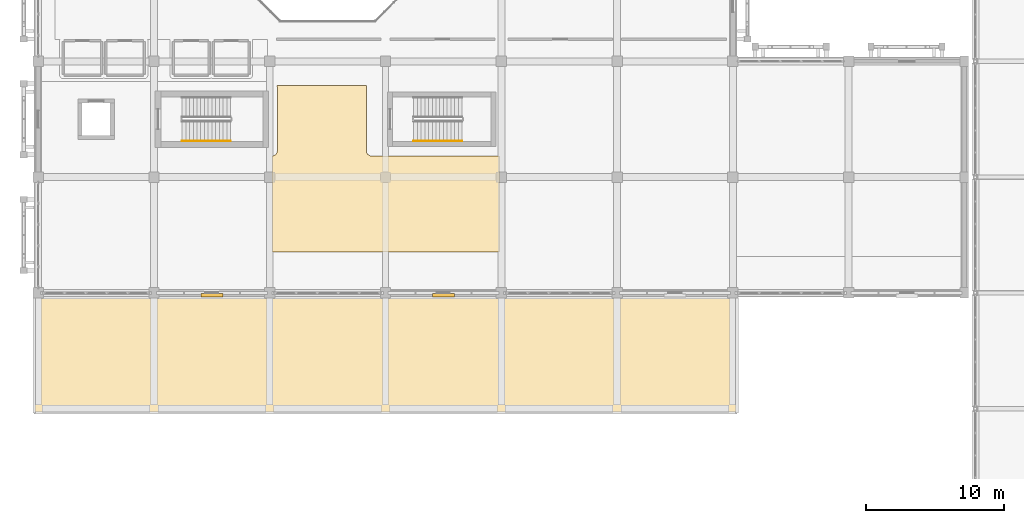
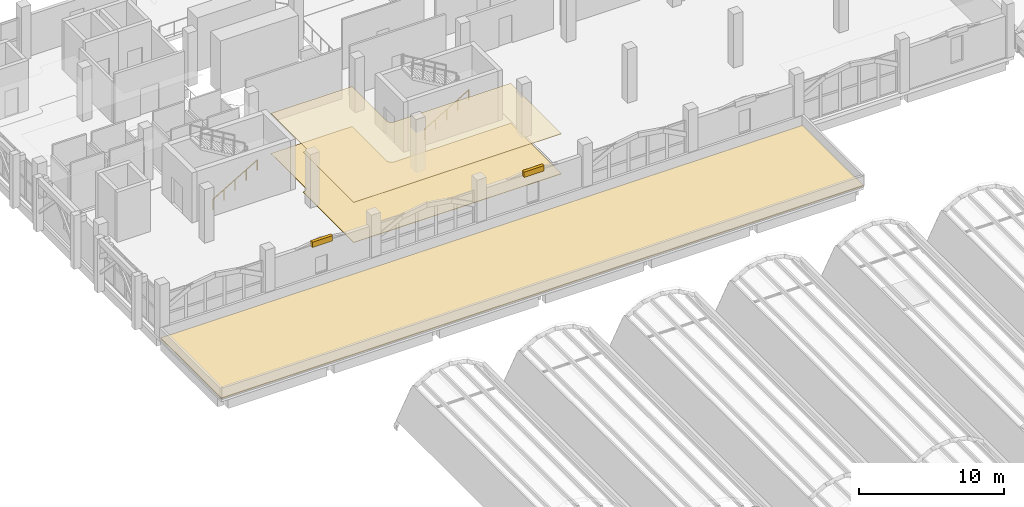
# One storey, part 109 of 114: 3 coverings, 2 railings, 2 shading devices.
"""IFC4 building model written with IfcOpenShell, lengths in metres."""

from ifc_helpers import new_model, si_unit, direction, frame, origin, origin_2d, place, context, subcontext, project, spatial, polyline, rectangle, circle, outline, extrude, material, layer, layer_set, type_object, element, save


model = new_model("IFC4")

# Units and contexts
model_context = context("Model", 3, precision=1e-05, world=origin(), true_north=direction((0.0, 1.0)))
body_context = subcontext(model_context, "Body", "Model", "MODEL_VIEW")
ifc_project = project(units=[si_unit("LENGTHUNIT", "METRE"), si_unit("AREAUNIT", "SQUARE_METRE"), si_unit("VOLUMEUNIT", "CUBIC_METRE"), si_unit("PLANEANGLEUNIT", "RADIAN"), si_unit("MASSUNIT", "GRAM", prefix="KILO")], contexts=[model_context])

# Site, building, storey
site_placement = place(None, origin())
site = spatial("IfcSite", under=ifc_project, at=site_placement, CompositionType="ELEMENT")
building_placement = place(site_placement, origin())
building = spatial("IfcBuilding", under=site, at=building_placement, Name="Xazarin Passage Department Store", CompositionType="ELEMENT")
storey_placement = place(building_placement, frame((0.0, 0.0, 14.39990234375)))
storey = spatial("IfcBuildingStorey", under=building, at=storey_placement, Name="L03", CompositionType="ELEMENT", Elevation=14.39990234375)

# Coverings
ifc_material_1 = material(Name="Acoustic mineral ceiling")
ifc_layer_1 = layer(ifc_material_1, 0.0400390625)
ifc_layer_set_1 = layer_set([ifc_layer_1], Name="Acoustic mineral ceiling")
covering_type_1 = type_object("IfcCoveringType", Name="ARC-COV-CLG040", PredefinedType="CEILING", material=ifc_layer_set_1)
covering_1_placement = place(storey_placement, frame((0.0, 0.0, 3.360107421875)))
element("IfcCovering", 1, at=covering_1_placement, inside=storey, type_object=covering_type_1, Name="L03 Children Department Acoustic Ceiling", PredefinedType="CEILING", context=body_context, shape_type="SweptSolid", body=[
    extrude(outline(polyline([(33.449951171875, 77.929931640625), (24.199951171875, 77.929931640625), (24.160888671875, 77.931884765625), (24.1220703125, 77.937744140625), (24.083984375, 77.947265625), (24.046875, 77.96044921875), (24.011474609375, 77.977294921875), (23.977783203125, 77.997314453125), (23.9462890625, 78.020751953125), (23.917236328125, 78.047119140625), (23.890869140625, 78.076171875), (23.867431640625, 78.10791015625), (23.84716796875, 78.141357421875), (23.830322265625, 78.177001953125), (23.817138671875, 78.2138671875), (23.8076171875, 78.251953125), (23.802001953125, 78.290771484375), (23.800048828125, 78.330078125), (23.800048828125, 82.8701171875), (23.802001953125, 82.9091796875), (23.8076171875, 82.947998046875), (23.817138671875, 82.986083984375), (23.830322265625, 83.023193359375), (23.84326171875, 83.050048828125), (17.306884765625, 83.050048828125), (17.319580078125, 83.023193359375), (17.332763671875, 82.986083984375), (17.34228515625, 82.947998046875), (17.34814453125, 82.9091796875), (17.35009765625, 82.8701171875), (17.35009765625, 78.330078125), (17.34814453125, 78.290771484375), (17.34228515625, 78.251953125), (17.332763671875, 78.2138671875), (17.319580078125, 78.177001953125), (17.302734375, 78.141357421875), (17.28271484375, 78.10791015625), (17.25927734375, 78.076171875), (17.23291015625, 78.047119140625), (17.203857421875, 78.020751953125), (17.172119140625, 77.997314453125), (17.138671875, 77.977294921875), (17.10302734375, 77.96044921875), (17.066162109375, 77.947265625), (17.028076171875, 77.937744140625), (16.9892578125, 77.931884765625), (16.949951171875, 77.929931640625), (16.949951171875, 70.949951171875), (33.449951171875, 70.949951171875), (33.449951171875, 77.929931640625)])), origin(), (0.0, 0.0, 1.0), 0.0400390625),
])
ifc_material_2 = material(Name="Terrazzo stone flooring", Category="masonry")
ifc_layer_2 = layer(ifc_material_2, 0.034912109375)
ifc_layer_set_2 = layer_set([ifc_layer_2], Name="Terrazzo stone flooring")
covering_type_2 = type_object("IfcCoveringType", Name="ARC-COV-FLR035", PredefinedType="FLOORING", material=ifc_layer_set_2)
covering_2_placement = place(storey_placement, origin())
element("IfcCovering", 2, at=covering_2_placement, inside=storey, type_object=covering_type_2, Name="L03 Children Department Terrazzo Flooring", PredefinedType="FLOORING", context=body_context, shape_type="SweptSolid", body=[
    extrude(outline(polyline([(33.449951171875, 77.929931640625), (24.199951171875, 77.929931640625), (24.160888671875, 77.931884765625), (24.1220703125, 77.937744140625), (24.083984375, 77.947265625), (24.046875, 77.96044921875), (24.011474609375, 77.977294921875), (23.977783203125, 77.997314453125), (23.9462890625, 78.020751953125), (23.917236328125, 78.047119140625), (23.890869140625, 78.076171875), (23.867431640625, 78.10791015625), (23.84716796875, 78.141357421875), (23.830322265625, 78.177001953125), (23.817138671875, 78.2138671875), (23.8076171875, 78.251953125), (23.802001953125, 78.290771484375), (23.800048828125, 78.330078125), (23.800048828125, 82.8701171875), (23.802001953125, 82.9091796875), (23.8076171875, 82.947998046875), (23.817138671875, 82.986083984375), (23.830322265625, 83.023193359375), (23.84326171875, 83.050048828125), (17.306884765625, 83.050048828125), (17.319580078125, 83.023193359375), (17.332763671875, 82.986083984375), (17.34228515625, 82.947998046875), (17.34814453125, 82.9091796875), (17.35009765625, 82.8701171875), (17.35009765625, 78.330078125), (17.34814453125, 78.290771484375), (17.34228515625, 78.251953125), (17.332763671875, 78.2138671875), (17.319580078125, 78.177001953125), (17.302734375, 78.141357421875), (17.28271484375, 78.10791015625), (17.25927734375, 78.076171875), (17.23291015625, 78.047119140625), (17.203857421875, 78.020751953125), (17.172119140625, 77.997314453125), (17.138671875, 77.977294921875), (17.10302734375, 77.96044921875), (17.066162109375, 77.947265625), (17.028076171875, 77.937744140625), (16.9892578125, 77.931884765625), (16.949951171875, 77.929931640625), (16.949951171875, 70.949951171875), (33.449951171875, 70.949951171875), (33.449951171875, 77.929931640625)])), origin(), (0.0, 0.0, 1.0), 0.03515625),
])
ifc_material_3 = material(Name="Insulated waterproof roofing membrane")
ifc_layer_3 = layer(ifc_material_3, 0.080078125)
ifc_layer_set_3 = layer_set([ifc_layer_3], Name="Insulated waterproof roofing membrane")
covering_type_3 = type_object("IfcCoveringType", Name="ARC-COV-RFG080", PredefinedType="ROOFING", material=ifc_layer_set_3)
covering_3_placement = place(storey_placement, origin())
element("IfcCovering", 3, at=covering_3_placement, inside=storey, type_object=covering_type_3, Name="L03 Insulated Roofing Membrane SLB-V1-L03-STEP-1", PredefinedType="ROOFING", context=body_context, shape_type="SweptSolid", body=[
    extrude(outline(polyline([(-0.300048828125, 67.64990234375), (-0.300048828125, 59.300048828125), (50.699951171875, 59.300048828125), (50.699951171875, 67.64990234375), (-0.300048828125, 67.64990234375)])), origin(), (0.0, 0.0, 1.0), 0.080078125),
])

# Railings
ifc_material_4 = material(Name="Steel S355", Category="steel")
railing_type = type_object("IfcRailingType", Name="ARC-RL-HND090", PredefinedType="HANDRAIL", material=ifc_material_4)
for number, where, name in (
    (4, (10.43994140625, 79.030029296875, 0.160888671875), "L03 ST1 stair handrail 1"),
    (5, (27.239990234375, 79.030029296875, 0.160888671875), "L03 ST3 stair handrail 1"),
):
    element("IfcRailing", number, at=place(storey_placement, frame(where)), inside=storey, type_object=railing_type, Name=name, PredefinedType="HANDRAIL", context=body_context, shape_type="SweptSolid", body=[
        extrude(circle(Radius=0.02392578125, at=origin_2d()), frame((0.0, 0.0, 0.8759765625), z_axis=(0.859312273368, 0.0, 0.511451284914), x_axis=(0.0, 1.0, 0.0)), (0.0, 0.0, 1.0), 4.084716796875),
        extrude(circle(Radius=0.02099609375, at=origin_2d()), origin(), (0.0, 0.0, 1.0), 0.8515625),
        extrude(circle(Radius=0.02099609375, at=origin_2d()), frame((0.87744140625, 0.0, 0.522216796875)), (0.0, 0.0, 1.0), 0.8515625),
        extrude(circle(Radius=0.02099609375, at=origin_2d()), frame((1.7548828125, 0.0, 1.04443359375)), (0.0, 0.0, 1.0), 0.8515625),
        extrude(circle(Radius=0.02099609375, at=origin_2d()), frame((2.632568359375, 0.0, 1.56689453125)), (0.0, 0.0, 1.0), 0.8515625),
        extrude(circle(Radius=0.02099609375, at=origin_2d()), frame((3.510009765625, 0.0, 2.089111328125)), (0.0, 0.0, 1.0), 0.8515625),
    ])

# Shading devices
ifc_material_5 = material(Name="Bronze anodised aluminium", Category="aluminium")
ifc_layer_4 = layer(ifc_material_5, 0.080078125)
ifc_layer_set_4 = layer_set([ifc_layer_4], Name="Bronze anodised aluminium")
shading_device_type = type_object("IfcShadingDeviceType", Name="ARC-SHD-LVR", PredefinedType="JALOUSIE", material=ifc_layer_set_4)
for number, where, z_axis, x_axis, name in (
    (6, (12.60009765625, 67.830078125, 3.375), (0.0, 0.0, 1.0), (1.0, 0.0, 0.0), "L03 V1 Sun Shading Louvre 01"),
    (7, (29.39990234375, 67.820068359375, 3.375), (0.0, 0.0, 1.0), (1.0, 0.0, 0.0), "L03 V1 Sun Shading Louvre 02"),
):
    element("IfcShadingDevice", number, at=place(storey_placement, frame(where, z_axis=z_axis, x_axis=x_axis)), inside=storey, type_object=shading_device_type, Name=name, PredefinedType="JALOUSIE", context=body_context, shape_type="SweptSolid", body=[
        extrude(rectangle(XDim=1.60009765625, YDim=0.239990234375, at=origin_2d()), origin(), (0.0, 0.0, 1.0), 0.449951171875),
    ])

save(model, "model.ifc")
